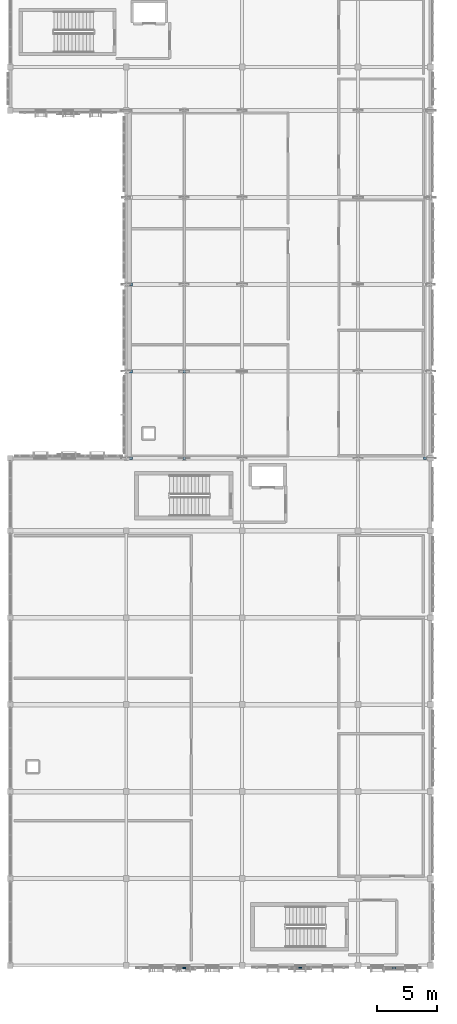
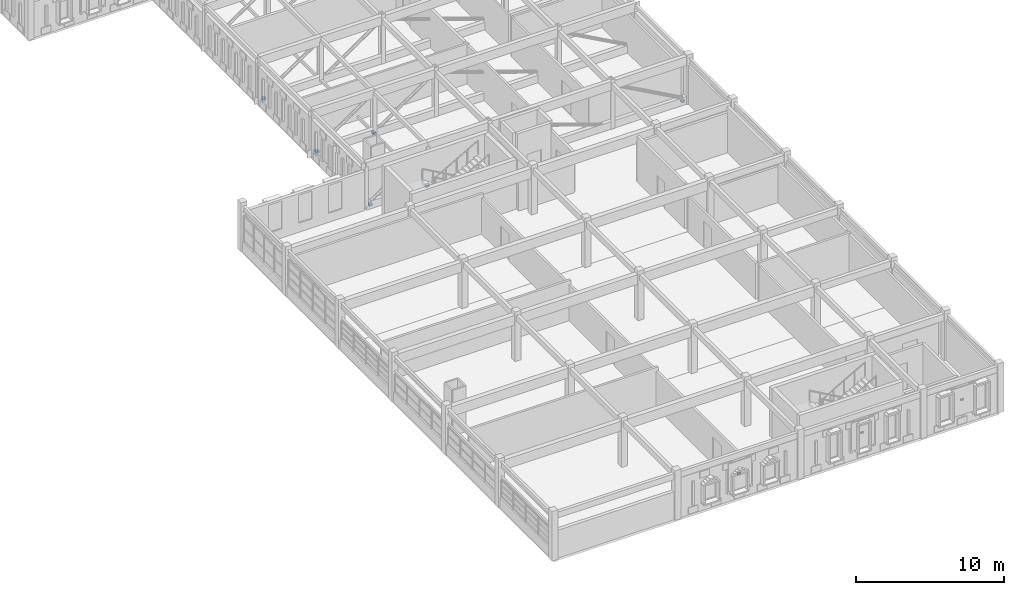
# One storey, part 62 of 79: 9 discrete accessories.
"""IFC4 building model written with IfcOpenShell, lengths in metres."""

from ifc_helpers import new_model, si_unit, direction, frame, origin, origin_2d, place, context, subcontext, project, spatial, rectangle, extrude, material, type_object, element, save


model = new_model("IFC4")

# Units and contexts
model_context = context("Model", 3, precision=1e-05, world=origin(), true_north=direction((0.0, 1.0)))
body_context = subcontext(model_context, "Body", "Model", "MODEL_VIEW")
ifc_project = project(units=[si_unit("LENGTHUNIT", "METRE"), si_unit("AREAUNIT", "SQUARE_METRE"), si_unit("VOLUMEUNIT", "CUBIC_METRE"), si_unit("PLANEANGLEUNIT", "RADIAN"), si_unit("MASSUNIT", "GRAM", prefix="KILO")], contexts=[model_context])

# Site, building, storey
site_placement = place(None, origin())
site = spatial("IfcSite", under=ifc_project, at=site_placement, CompositionType="ELEMENT")
building_placement = place(site_placement, origin())
building = spatial("IfcBuilding", under=site, at=building_placement, Name="Nzembalo Square Collegiate School", CompositionType="ELEMENT")
storey_placement = place(building_placement, frame((0.0, 0.0, 9.52001953125)))
storey = spatial("IfcBuildingStorey", under=building, at=storey_placement, Name="L02", CompositionType="ELEMENT", Elevation=9.52001953125)

# Discrete accessories
ifc_material = material(Name="Steel S355", Category="steel")
discrete_accessory_type = type_object("IfcDiscreteAccessoryType", Name="BK01", PredefinedType="BRACKET", material=ifc_material)
for number, where, z_axis, x_axis, name in (
    (1, (145.199951171875, 8.202392578125, 2.029296875), (0.0, 0.0, 1.0), (1.0, 0.0, 0.0), "Screen bracket BK01-006"),
    (2, (154.800048828125, 8.21240234375, 2.029296875), (0.0, 0.0, 1.0), (1.0, 0.0, 0.0), "Screen bracket BK01-007"),
    (3, (162.60009765625, 8.202392578125, 2.029296875), (0.0, 0.0, 1.0), (1.0, 0.0, 0.0), "Screen bracket BK01-008"),
):
    element("IfcDiscreteAccessory", number, at=place(storey_placement, frame(where, z_axis=z_axis, x_axis=x_axis)), inside=storey, type_object=discrete_accessory_type, Name=name, PredefinedType="BRACKET", context=body_context, shape_type="SweptSolid", body=[
        extrude(rectangle(XDim=0.239990234375, YDim=0.1201171875, at=origin_2d()), origin(), (0.0, 0.0, 1.0), 0.139892578125),
    ])
for number, where, z_axis, x_axis, name in (
    (4, (140.780029296875, 50.39990234375, 0.169921875), (0.0, 0.0, 1.0), (1.0, 0.0, 0.0), "Steel S355 brace end gusset shoe BK01-B092"),
    (5, (140.780029296875, 57.60009765625, 0.169921875), (0.0, 0.0, 1.0), (1.0, 0.0, 0.0), "Steel S355 brace end gusset shoe BK01-B093"),
    (6, (145.199951171875, 50.39990234375, 0.169921875), (0.0, 0.0, 1.0), (1.0, 0.0, 0.0), "Steel S355 brace end gusset shoe BK01-B094"),
    (7, (145.199951171875, 57.60009765625, 0.169921875), (0.0, 0.0, 1.0), (1.0, 0.0, 0.0), "Steel S355 brace end gusset shoe BK01-B095"),
    (8, (140.780029296875, 64.800048828125, 0.169921875), (0.0, 0.0, 1.0), (1.0, 0.0, 0.0), "Steel S355 brace end gusset shoe BK01-B096"),
    (9, (165.14990234375, 50.39990234375, 0.169921875), (0.0, 0.0, 1.0), (1.0, 0.0, 0.0), "Steel S355 brace end gusset shoe BK01-B102"),
):
    element("IfcDiscreteAccessory", number, at=place(storey_placement, frame(where, z_axis=z_axis, x_axis=x_axis)), inside=storey, type_object=discrete_accessory_type, Name=name, PredefinedType="BRACKET", context=body_context, shape_type="SweptSolid", body=[
        extrude(rectangle(XDim=0.239990234375, YDim=0.239990234375, at=origin_2d()), origin(), (0.0, 0.0, 1.0), 0.179931640625),
    ])

save(model, "model.ifc")
